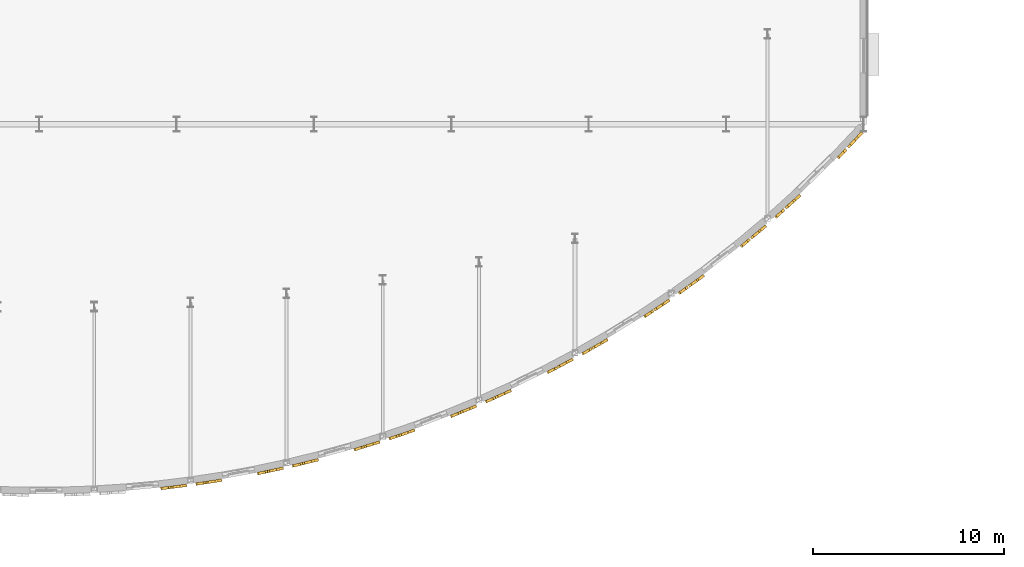
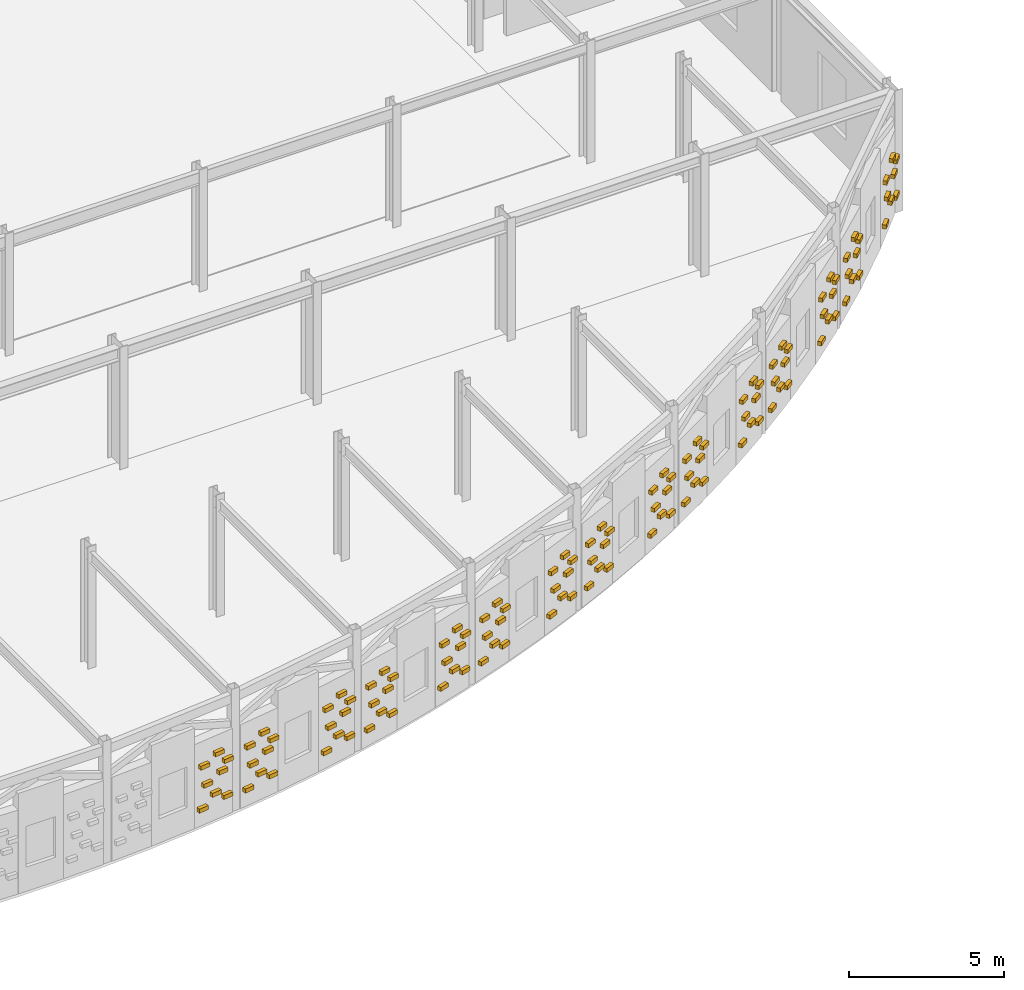
# One storey, part 83 of 83: 120 coverings.
"""IFC4 building model written with IfcOpenShell, lengths in metres."""

import ifcopenshell
import ifcopenshell.guid

model = None  # the IFC model being written
_history = None  # IfcOwnerHistory: only IFC2X3 demands one
_inside = {}  # id of a spatial element -> (the spatial element, [elements in it])
_under = {}  # id of a project, library or spatial element -> (it, [spatial elements below it])
_declared = {}  # id of a project -> (the project, [libraries it declares])
_typed = {}  # id of a type object -> (the type object, [elements of that type])
_made_of = {}  # id of a material, layer set ... -> (it, [elements and type objects made of it])


def new_model(schema):
    """Start an empty IFC model of exactly this schema.

    Asked for "IFC4X3", IfcOpenShell would pick the latest addendum, in which some entities
    have other attributes; the version numbers below select the first issue.
    IFC2X3 requires an IfcOwnerHistory on every rooted entity: one is made here for all.
    """
    global model, _history
    if schema == "IFC4X3":
        model = ifcopenshell.file(schema_version=(4, 3, 0, 0))
    else:
        model = ifcopenshell.file(schema=schema)
    _inside.clear()
    _under.clear()
    _declared.clear()
    _typed.clear()
    _made_of.clear()
    _history = None
    if model.schema == "IFC2X3":
        org = make("IfcOrganization", Name="unknown")
        user = make(
            "IfcPersonAndOrganization",
            ThePerson=make("IfcPerson", FamilyName="unknown"),
            TheOrganization=org,
        )
        app = make(
            "IfcApplication",
            ApplicationDeveloper=org,
            Version="unknown",
            ApplicationFullName="unknown",
            ApplicationIdentifier="unknown",
        )
        _history = make(
            "IfcOwnerHistory",
            OwningUser=user,
            OwningApplication=app,
            ChangeAction="ADDED",
            CreationDate=0,
        )
    return model


def make(cls, **values):
    """One entity of the class cls with the attributes given. An attribute that is None is left unset."""
    return model.create_entity(
        cls, **{name: value for name, value in values.items() if value is not None}
    )


def rooted(cls, **values):
    """An entity with a GlobalId (a new one), such as an element, a storey or a relation."""
    return make(cls, GlobalId=ifcopenshell.guid.new(), OwnerHistory=_history, **values)


def si_unit(unit_type, name, prefix=None):
    """IfcSIUnit, for example si_unit("LENGTHUNIT", "METRE", prefix="MILLI")."""
    return make("IfcSIUnit", UnitType=unit_type, Prefix=prefix, Name=name)


def assignment(units):
    """IfcUnitAssignment: the units of a project."""
    return None if units is None else make("IfcUnitAssignment", Units=units)


def point(xyz):
    """IfcCartesianPoint."""
    return None if xyz is None else make("IfcCartesianPoint", Coordinates=xyz)


def direction(xyz):
    """IfcDirection."""
    return None if xyz is None else make("IfcDirection", DirectionRatios=xyz)


def frame(location, z_axis=None, x_axis=None):
    """IfcAxis2Placement3D, a coordinate frame: its origin and axes. An axis left out is left unset."""
    return make(
        "IfcAxis2Placement3D",
        Location=point(location),
        Axis=direction(z_axis),
        RefDirection=direction(x_axis),
    )


def frame_2d(location, x_axis=None):
    """IfcAxis2Placement2D, a coordinate frame in the plane: its origin and x axis."""
    return make(
        "IfcAxis2Placement2D", Location=point(location), RefDirection=direction(x_axis)
    )


def origin():
    """The frame at (0, 0, 0) with its axes left unset."""
    return frame((0.0, 0.0, 0.0))


def origin_2d():
    """The frame at (0, 0) in the plane with its x axis left unset."""
    return frame_2d((0.0, 0.0))


def place(relative_to, where):
    """IfcLocalPlacement: puts the frame where relative to a parent placement (None: the world)."""
    return make(
        "IfcLocalPlacement", PlacementRelTo=relative_to, RelativePlacement=where
    )


def context(
    kind, dimensions, precision=None, world=None, true_north=None, identifier=None
):
    """IfcGeometricRepresentationContext, for example the 3D "Model" context."""
    return make(
        "IfcGeometricRepresentationContext",
        ContextIdentifier=identifier,
        ContextType=kind,
        CoordinateSpaceDimension=dimensions,
        Precision=precision,
        WorldCoordinateSystem=world,
        TrueNorth=true_north,
    )


def subcontext(parent, identifier, kind, view, scale=None):
    """IfcGeometricRepresentationSubContext, for example "Body" below "Model"."""
    return make(
        "IfcGeometricRepresentationSubContext",
        ContextIdentifier=identifier,
        ContextType=kind,
        ParentContext=parent,
        TargetScale=scale,
        TargetView=view,
    )


def project(units=None, contexts=None):
    """IfcProject with its units and contexts."""
    return rooted(
        "IfcProject",
        Name="project",
        RepresentationContexts=contexts,
        UnitsInContext=assignment(units),
    )


def spatial(cls, under=None, at=None, **own):
    """A site, building, storey or space (cls), placed at a placement, below another one or the project."""
    s = rooted(cls, ObjectPlacement=at, **own)
    if under is not None:
        _under.setdefault(under.id(), (under, []))[1].append(s)
    return s


def profile(cls, at=None, kind="AREA", **sizes):
    """A parametric profile (cls). Its sizes go by their IFC names, for example OverallWidth=200.0."""
    return make(cls, ProfileType=kind, Position=at, **sizes)


def rectangle(**sizes):
    """IfcRectangleProfileDef."""
    return profile("IfcRectangleProfileDef", **sizes)


def extrude(swept, where, along, depth):
    """IfcExtrudedAreaSolid: the profile swept, set in the frame where, extruded along a direction by depth."""
    return make(
        "IfcExtrudedAreaSolid",
        SweptArea=swept,
        Position=where,
        ExtrudedDirection=direction(along),
        Depth=depth,
    )


def shape(context_of_items, identifier, shape_type, items):
    """IfcShapeRepresentation: the items that make up one representation, for example the "Body"."""
    return make(
        "IfcShapeRepresentation",
        ContextOfItems=context_of_items,
        RepresentationIdentifier=identifier,
        RepresentationType=shape_type,
        Items=items,
    )


def material(Name=None, Category=None):
    """IfcMaterial."""
    return make("IfcMaterial", Name=Name, Category=Category)


def layer(
    of_material, thickness, ventilated=None, Name=None, Category=None, Priority=None
):
    """IfcMaterialLayer: one layer of a wall or slab, of a material (None: an air gap)."""
    return make(
        "IfcMaterialLayer",
        Material=of_material,
        LayerThickness=thickness,
        IsVentilated=ventilated,
        Name=Name,
        Category=Category,
        Priority=Priority,
    )


def layer_set(layers, Name=None):
    """IfcMaterialLayerSet."""
    return make("IfcMaterialLayerSet", MaterialLayers=layers, LayerSetName=Name)


def made_of(thing, what):
    """Note that an element or type object is made of a material, layer set ...; save() writes the relation."""
    if what is not None:
        _made_of.setdefault(what.id(), (what, []))[1].append(thing)
    return thing


def type_object(cls, material=None, **own):
    """A type object (cls), such as IfcWallType, which elements share."""
    return made_of(rooted(cls, **own), material)


def element(
    cls,
    number,
    at=None,
    inside=None,
    cuts=None,
    type_object=None,
    material=None,
    context=None,
    identifier="Body",
    shape_type=None,
    held_by="IfcProductDefinitionShape",
    body=None,
    shapes=None,
    **own,
):
    """One element of the class cls, such as IfcWall. Its Tag is "e" and its number.

    at: its placement. inside: the storey or other place that contains it. cuts: it is an
    opening in that element (IfcRelVoidsElement). A single representation is given by context,
    identifier, shape_type and body (its items); several are given by shapes. held_by: the class
    of the entity that holds the representations. save() writes the other relations.
    """
    e = rooted(cls, Tag="e%d" % number, ObjectPlacement=at, **own)
    if body is not None:
        shapes = [shape(context, identifier, shape_type, body)]
    if shapes is not None:
        e.Representation = make(held_by, Representations=shapes)
    if inside is not None:
        _inside.setdefault(inside.id(), (inside, []))[1].append(e)
    if cuts is not None:
        rooted(
            "IfcRelVoidsElement", RelatingBuildingElement=cuts, RelatedOpeningElement=e
        )
    if type_object is not None:
        _typed.setdefault(type_object.id(), (type_object, []))[1].append(e)
    return made_of(e, material)


def aggregate(whole, parts):
    """IfcRelAggregates: a whole, such as a stair, and the parts it consists of."""
    return rooted("IfcRelAggregates", RelatingObject=whole, RelatedObjects=parts)


def save(model, path):
    """Write the relations noted so far, then the file.

    IfcRelAggregates (storeys below a building ...), IfcRelContainedInSpatialStructure (elements
    in a storey), IfcRelDefinesByType, IfcRelAssociatesMaterial and IfcRelDeclares: one each for
    every whole, place, type object, material and project.
    """
    for whole, parts in _under.values():
        aggregate(whole, parts)
    for where, things in _inside.values():
        rooted(
            "IfcRelContainedInSpatialStructure",
            RelatedElements=things,
            RelatingStructure=where,
        )
    for kind, things in _typed.values():
        rooted("IfcRelDefinesByType", RelatedObjects=things, RelatingType=kind)
    for what, things in _made_of.values():
        rooted("IfcRelAssociatesMaterial", RelatedObjects=things, RelatingMaterial=what)
    for by, libraries in _declared.values():
        rooted("IfcRelDeclares", RelatingContext=by, RelatedDefinitions=libraries)
    model.write(path)


model = new_model("IFC4")

# Units and contexts
model_context = context("Model", 3, precision=1e-05, world=origin(), true_north=direction((0.0, 1.0)))
body_context = subcontext(model_context, "Body", "Model", "MODEL_VIEW")
ifc_project = project(units=[si_unit("LENGTHUNIT", "METRE"), si_unit("AREAUNIT", "SQUARE_METRE"), si_unit("VOLUMEUNIT", "CUBIC_METRE"), si_unit("PLANEANGLEUNIT", "RADIAN"), si_unit("MASSUNIT", "GRAM", prefix="KILO")], contexts=[model_context])

# Site, building, storey
site_placement = place(None, origin())
site = spatial("IfcSite", under=ifc_project, at=site_placement, CompositionType="ELEMENT")
building_placement = place(site_placement, origin())
building = spatial("IfcBuilding", under=site, at=building_placement, Name="Solvadek Multi-Sports Hall", CompositionType="ELEMENT")
storey_placement = place(building_placement, origin())
storey = spatial("IfcBuildingStorey", under=building, at=storey_placement, Name="L00", CompositionType="ELEMENT", Elevation=0.0)

# Coverings
ifc_material = material(Name="Kiln-fired projecting relief brick", Category="masonry")
ifc_layer = layer(ifc_material, 0.139892578125, Name="Kiln-fired projecting relief brick")
ifc_layer_set = layer_set([ifc_layer], Name="Kiln-fired projecting relief brick")
covering_type = type_object("IfcCoveringType", Name="ENV-COV-BRKREL", PredefinedType="CLADDING", material=ifc_layer_set)
for number, where, z_axis, x_axis, name in (
    (1, (100.144287109375, -13.072021484375, 0.64013671875), (0.0, 0.0, 1.0), (0.992573145786, 0.121649292087, 0.0), "Projecting Relief Brick E-9.1"),
    (2, (100.663818359375, -13.00830078125, 1.0400390625), (0.0, 0.0, 1.0), (0.992573145786, 0.121649292087, 0.0), "Projecting Relief Brick E-9.2"),
    (3, (101.121826171875, -12.9521484375, 0.76025390625), (0.0, 0.0, 1.0), (0.992573145786, 0.121649292087, 0.0), "Projecting Relief Brick E-9.3"),
    (4, (100.32763671875, -13.049560546875, 1.5400390625), (0.0, 0.0, 1.0), (0.992573145786, 0.121649292087, 0.0), "Projecting Relief Brick E-9.4"),
    (5, (100.938720703125, -12.974609375, 1.7998046875), (0.0, 0.0, 1.0), (0.992573145786, 0.121649292087, 0.0), "Projecting Relief Brick E-9.5"),
    (6, (100.20556640625, -13.064453125, 2.2998046875), (0.0, 0.0, 1.0), (0.992573145786, 0.121649292087, 0.0), "Projecting Relief Brick E-9.6"),
    (7, (100.785888671875, -12.993408203125, 2.580078125), (0.0, 0.0, 1.0), (0.992573145786, 0.121649292087, 0.0), "Projecting Relief Brick E-9.7"),
    (8, (101.15234375, -12.948486328125, 2.16015625), (0.0, 0.0, 1.0), (0.992573145786, 0.121649292087, 0.0), "Projecting Relief Brick E-9.8"),
    (9, (101.98388671875, -12.833740234375, 0.64013671875), (0.0, 0.0, 1.0), (0.988605895809, 0.15052701675, 0.0), "Projecting Relief Brick E-10.1"),
    (10, (102.50341796875, -12.754638671875, 1.0400390625), (0.0, 0.0, 1.0), (0.988605895809, 0.15052701675, 0.0), "Projecting Relief Brick E-10.2"),
    (11, (102.961669921875, -12.684814453125, 0.76025390625), (0.0, 0.0, 1.0), (0.988605895809, 0.15052701675, 0.0), "Projecting Relief Brick E-10.3"),
    (12, (102.1669921875, -12.805908203125, 1.5400390625), (0.0, 0.0, 1.0), (0.988605895809, 0.15052701675, 0.0), "Projecting Relief Brick E-10.4"),
    (13, (102.7783203125, -12.712890625, 1.7998046875), (0.0, 0.0, 1.0), (0.988605895809, 0.15052701675, 0.0), "Projecting Relief Brick E-10.5"),
    (14, (102.044921875, -12.824462890625, 2.2998046875), (0.0, 0.0, 1.0), (0.988605895809, 0.15052701675, 0.0), "Projecting Relief Brick E-10.6"),
    (15, (102.62548828125, -12.736083984375, 2.580078125), (0.0, 0.0, 1.0), (0.988605895809, 0.15052701675, 0.0), "Projecting Relief Brick E-10.7"),
    (16, (102.9921875, -12.680419921875, 2.16015625), (0.0, 0.0, 1.0), (0.988605895809, 0.15052701675, 0.0), "Projecting Relief Brick E-10.8"),
    (17, (105.205810546875, -12.275390625, 0.64013671875), (0.0, 0.0, 1.0), (0.978075914323, 0.208248663432, 0.0), "Projecting Relief Brick E-12.1"),
    (18, (105.725830078125, -12.164794921875, 1.0400390625), (0.0, 0.0, 1.0), (0.978075914323, 0.208248663432, 0.0), "Projecting Relief Brick E-12.2"),
    (19, (106.184814453125, -12.067138671875, 0.76025390625), (0.0, 0.0, 1.0), (0.978075914323, 0.208248663432, 0.0), "Projecting Relief Brick E-12.3"),
    (20, (105.389404296875, -12.236328125, 1.5400390625), (0.0, 0.0, 1.0), (0.978075914323, 0.208248663432, 0.0), "Projecting Relief Brick E-12.4"),
    (21, (106.001220703125, -12.106201171875, 1.7998046875), (0.0, 0.0, 1.0), (0.978075914323, 0.208248663432, 0.0), "Projecting Relief Brick E-12.5"),
    (22, (105.26708984375, -12.262451171875, 2.2998046875), (0.0, 0.0, 1.0), (0.978075914323, 0.208248663432, 0.0), "Projecting Relief Brick E-12.6"),
    (23, (105.84814453125, -12.138671875, 2.580078125), (0.0, 0.0, 1.0), (0.978075914323, 0.208248663432, 0.0), "Projecting Relief Brick E-12.7"),
    (24, (106.21533203125, -12.060546875, 2.16015625), (0.0, 0.0, 1.0), (0.978075914323, 0.208248663432, 0.0), "Projecting Relief Brick E-12.8"),
    (25, (107.042724609375, -11.87109375, 0.64013671875), (0.0, 0.0, 1.0), (0.971474540489, 0.237143874435, 0.0), "Projecting Relief Brick E-13.1"),
    (26, (107.56298828125, -11.743896484375, 1.0400390625), (0.0, 0.0, 1.0), (0.971474540489, 0.237143874435, 0.0), "Projecting Relief Brick E-13.2"),
    (27, (108.022216796875, -11.6318359375, 0.76025390625), (0.0, 0.0, 1.0), (0.971474540489, 0.237143874435, 0.0), "Projecting Relief Brick E-13.3"),
    (28, (107.226318359375, -11.826171875, 1.5400390625), (0.0, 0.0, 1.0), (0.971474540489, 0.237143874435, 0.0), "Projecting Relief Brick E-13.4"),
    (29, (107.83837890625, -11.6767578125, 1.7998046875), (0.0, 0.0, 1.0), (0.971474540489, 0.237143874435, 0.0), "Projecting Relief Brick E-13.5"),
    (30, (107.10400390625, -11.856201171875, 2.2998046875), (0.0, 0.0, 1.0), (0.971474540489, 0.237143874435, 0.0), "Projecting Relief Brick E-13.6"),
    (31, (107.685546875, -11.714111328125, 2.580078125), (0.0, 0.0, 1.0), (0.971474540489, 0.237143874435, 0.0), "Projecting Relief Brick E-13.7"),
    (32, (108.052734375, -11.62451171875, 2.16015625), (0.0, 0.0, 1.0), (0.971474540489, 0.237143874435, 0.0), "Projecting Relief Brick E-13.8"),
    (33, (110.267578125, -11.011962890625, 0.64013671875), (0.0, 0.0, 1.0), (0.955526555938, 0.294905070993, 0.0), "Projecting Relief Brick E-15.1"),
    (34, (110.788818359375, -10.851318359375, 1.0400390625), (0.0, 0.0, 1.0), (0.955526555938, 0.294905070993, 0.0), "Projecting Relief Brick E-15.2"),
    (35, (111.24853515625, -10.709228515625, 0.76025390625), (0.0, 0.0, 1.0), (0.955526555938, 0.294905070993, 0.0), "Projecting Relief Brick E-15.3"),
    (36, (110.451416015625, -10.955322265625, 1.5400390625), (0.0, 0.0, 1.0), (0.955526555938, 0.294905070993, 0.0), "Projecting Relief Brick E-15.4"),
    (37, (111.064697265625, -10.76611328125, 1.7998046875), (0.0, 0.0, 1.0), (0.955526555938, 0.294905070993, 0.0), "Projecting Relief Brick E-15.5"),
    (38, (110.328857421875, -10.9931640625, 2.2998046875), (0.0, 0.0, 1.0), (0.955526555938, 0.294905070993, 0.0), "Projecting Relief Brick E-15.6"),
    (39, (110.911376953125, -10.813232421875, 2.580078125), (0.0, 0.0, 1.0), (0.955526555938, 0.294905070993, 0.0), "Projecting Relief Brick E-15.7"),
    (40, (111.279296875, -10.69970703125, 2.16015625), (0.0, 0.0, 1.0), (0.955526555938, 0.294905070993, 0.0), "Projecting Relief Brick E-15.8"),
    (41, (112.1005859375, -10.43212890625, 0.64013671875), (0.0, 0.0, 1.0), (0.946153090794, 0.323719521778, 0.0), "Projecting Relief Brick E-16.1"),
    (42, (112.622314453125, -10.253662109375, 1.0400390625), (0.0, 0.0, 1.0), (0.946153090794, 0.323719521778, 0.0), "Projecting Relief Brick E-16.2"),
    (43, (113.08251953125, -10.09619140625, 0.76025390625), (0.0, 0.0, 1.0), (0.946153090794, 0.323719521778, 0.0), "Projecting Relief Brick E-16.3"),
    (44, (112.28466796875, -10.369140625, 1.5400390625), (0.0, 0.0, 1.0), (0.946153090794, 0.323719521778, 0.0), "Projecting Relief Brick E-16.4"),
    (45, (112.8984375, -10.1591796875, 1.7998046875), (0.0, 0.0, 1.0), (0.946153090794, 0.323719521778, 0.0), "Projecting Relief Brick E-16.5"),
    (46, (112.161865234375, -10.4111328125, 2.2998046875), (0.0, 0.0, 1.0), (0.946153090794, 0.323719521778, 0.0), "Projecting Relief Brick E-16.6"),
    (47, (112.744873046875, -10.211669921875, 2.580078125), (0.0, 0.0, 1.0), (0.946153090794, 0.323719521778, 0.0), "Projecting Relief Brick E-16.7"),
    (48, (113.11328125, -10.085693359375, 2.16015625), (0.0, 0.0, 1.0), (0.946153090794, 0.323719521778, 0.0), "Projecting Relief Brick E-16.8"),
    (49, (115.32958984375, -9.2490234375, 0.64013671875), (0.0, 0.0, 1.0), (0.924380401082, 0.381471983369, 0.0), "Projecting Relief Brick E-18.1"),
    (50, (115.852294921875, -9.033203125, 1.0400390625), (0.0, 0.0, 1.0), (0.924380401082, 0.381471983369, 0.0), "Projecting Relief Brick E-18.2"),
    (51, (116.313720703125, -8.843017578125, 0.76025390625), (0.0, 0.0, 1.0), (0.924380401082, 0.381471983369, 0.0), "Projecting Relief Brick E-18.3"),
    (52, (115.513916015625, -9.1728515625, 1.5400390625), (0.0, 0.0, 1.0), (0.924380401082, 0.381471983369, 0.0), "Projecting Relief Brick E-18.4"),
    (53, (116.12890625, -8.9189453125, 1.7998046875), (0.0, 0.0, 1.0), (0.924380401082, 0.381471983369, 0.0), "Projecting Relief Brick E-18.5"),
    (54, (115.39111328125, -9.2236328125, 2.2998046875), (0.0, 0.0, 1.0), (0.924380401082, 0.381471983369, 0.0), "Projecting Relief Brick E-18.6"),
    (55, (115.975341796875, -8.982421875, 2.580078125), (0.0, 0.0, 1.0), (0.924380401082, 0.381471983369, 0.0), "Projecting Relief Brick E-18.7"),
    (56, (116.34423828125, -8.830078125, 2.16015625), (0.0, 0.0, 1.0), (0.924380401082, 0.381471983369, 0.0), "Projecting Relief Brick E-18.8"),
    (57, (117.1572265625, -8.47900390625, 0.64013671875), (0.0, 0.0, 1.0), (0.911921505175, 0.41036467733, 0.0), "Projecting Relief Brick E-19.1"),
    (58, (117.6806640625, -8.243408203125, 1.0400390625), (0.0, 0.0, 1.0), (0.911921505175, 0.41036467733, 0.0), "Projecting Relief Brick E-19.2"),
    (59, (118.142578125, -8.03564453125, 0.76025390625), (0.0, 0.0, 1.0), (0.911921505175, 0.41036467733, 0.0), "Projecting Relief Brick E-19.3"),
    (60, (117.342041015625, -8.39599609375, 1.5400390625), (0.0, 0.0, 1.0), (0.911921505175, 0.41036467733, 0.0), "Projecting Relief Brick E-19.4"),
    (61, (117.957763671875, -8.11865234375, 1.7998046875), (0.0, 0.0, 1.0), (0.911921505175, 0.41036467733, 0.0), "Projecting Relief Brick E-19.5"),
    (62, (117.218994140625, -8.451416015625, 2.2998046875), (0.0, 0.0, 1.0), (0.911921505175, 0.41036467733, 0.0), "Projecting Relief Brick E-19.6"),
    (63, (117.803955078125, -8.18798828125, 2.580078125), (0.0, 0.0, 1.0), (0.911921505175, 0.41036467733, 0.0), "Projecting Relief Brick E-19.7"),
    (64, (118.17333984375, -8.021728515625, 2.16015625), (0.0, 0.0, 1.0), (0.911921505175, 0.41036467733, 0.0), "Projecting Relief Brick E-19.8"),
    (65, (120.3916015625, -6.935302734375, 0.64013671875), (0.0, 0.0, 1.0), (0.883681698244, 0.468088299565, 0.0), "Projecting Relief Brick E-21.1"),
    (66, (120.91650390625, -6.657470703125, 1.0400390625), (0.0, 0.0, 1.0), (0.883681698244, 0.468088299565, 0.0), "Projecting Relief Brick E-21.2"),
    (67, (121.3798828125, -6.412109375, 0.76025390625), (0.0, 0.0, 1.0), (0.883681698244, 0.468088299565, 0.0), "Projecting Relief Brick E-21.3"),
    (68, (120.576904296875, -6.83740234375, 1.5400390625), (0.0, 0.0, 1.0), (0.883681698244, 0.468088299565, 0.0), "Projecting Relief Brick E-21.4"),
    (69, (121.194580078125, -6.51025390625, 1.7998046875), (0.0, 0.0, 1.0), (0.883681698244, 0.468088299565, 0.0), "Projecting Relief Brick E-21.5"),
    (70, (120.453369140625, -6.902587890625, 2.2998046875), (0.0, 0.0, 1.0), (0.883681698244, 0.468088299565, 0.0), "Projecting Relief Brick E-21.6"),
    (71, (121.0400390625, -6.591796875, 2.580078125), (0.0, 0.0, 1.0), (0.883681698244, 0.468088299565, 0.0), "Projecting Relief Brick E-21.7"),
    (72, (121.41064453125, -6.395751953125, 2.16015625), (0.0, 0.0, 1.0), (0.883681698244, 0.468088299565, 0.0), "Projecting Relief Brick E-21.8"),
    (73, (122.212646484375, -5.952880859375, 0.64013671875), (0.0, 0.0, 1.0), (0.867753217729, 0.496995325049, 0.0), "Projecting Relief Brick E-22.1"),
    (74, (122.738525390625, -5.65185546875, 1.0400390625), (0.0, 0.0, 1.0), (0.867753217729, 0.496995325049, 0.0), "Projecting Relief Brick E-22.2"),
    (75, (123.202392578125, -5.385986328125, 0.76025390625), (0.0, 0.0, 1.0), (0.867753217729, 0.496995325049, 0.0), "Projecting Relief Brick E-22.3"),
    (76, (122.398193359375, -5.8466796875, 1.5400390625), (0.0, 0.0, 1.0), (0.867753217729, 0.496995325049, 0.0), "Projecting Relief Brick E-22.4"),
    (77, (123.016845703125, -5.492431640625, 1.7998046875), (0.0, 0.0, 1.0), (0.867753217729, 0.496995325049, 0.0), "Projecting Relief Brick E-22.5"),
    (78, (122.274658203125, -5.91748046875, 2.2998046875), (0.0, 0.0, 1.0), (0.867753217729, 0.496995325049, 0.0), "Projecting Relief Brick E-22.6"),
    (79, (122.8623046875, -5.580810546875, 2.580078125), (0.0, 0.0, 1.0), (0.867753217729, 0.496995325049, 0.0), "Projecting Relief Brick E-22.7"),
    (80, (123.2333984375, -5.368408203125, 2.16015625), (0.0, 0.0, 1.0), (0.867753217729, 0.496995325049, 0.0), "Projecting Relief Brick E-22.8"),
    (81, (125.4541015625, -3.9931640625, 0.64013671875), (0.0, 0.0, 1.0), (0.832027435734, 0.5547344826, 0.0), "Projecting Relief Brick E-24.1"),
    (82, (125.981689453125, -3.641357421875, 1.0400390625), (0.0, 0.0, 1.0), (0.832027435734, 0.5547344826, 0.0), "Projecting Relief Brick E-24.2"),
    (83, (126.447265625, -3.3310546875, 0.76025390625), (0.0, 0.0, 1.0), (0.832027435734, 0.5547344826, 0.0), "Projecting Relief Brick E-24.3"),
    (84, (125.640380859375, -3.868896484375, 1.5400390625), (0.0, 0.0, 1.0), (0.832027435734, 0.5547344826, 0.0), "Projecting Relief Brick E-24.4"),
    (85, (126.260986328125, -3.455078125, 1.7998046875), (0.0, 0.0, 1.0), (0.832027435734, 0.5547344826, 0.0), "Projecting Relief Brick E-24.5"),
    (86, (125.51611328125, -3.951904296875, 2.2998046875), (0.0, 0.0, 1.0), (0.832027435734, 0.5547344826, 0.0), "Projecting Relief Brick E-24.6"),
    (87, (126.10595703125, -3.55859375, 2.580078125), (0.0, 0.0, 1.0), (0.832027435734, 0.5547344826, 0.0), "Projecting Relief Brick E-24.7"),
    (88, (126.478515625, -3.310302734375, 2.16015625), (0.0, 0.0, 1.0), (0.832027435734, 0.5547344826, 0.0), "Projecting Relief Brick E-24.8"),
    (89, (127.266845703125, -2.763427734375, 0.64013671875), (0.0, 0.0, 1.0), (0.812061184697, 0.583572302554, 0.0), "Projecting Relief Brick E-25.1"),
    (90, (127.79541015625, -2.383544921875, 1.0400390625), (0.0, 0.0, 1.0), (0.812061184697, 0.583572302554, 0.0), "Projecting Relief Brick E-25.2"),
    (91, (128.261962890625, -2.04833984375, 0.76025390625), (0.0, 0.0, 1.0), (0.812061184697, 0.583572302554, 0.0), "Projecting Relief Brick E-25.3"),
    (92, (127.453369140625, -2.62939453125, 1.5400390625), (0.0, 0.0, 1.0), (0.812061184697, 0.583572302554, 0.0), "Projecting Relief Brick E-25.4"),
    (93, (128.0751953125, -2.182373046875, 1.7998046875), (0.0, 0.0, 1.0), (0.812061184697, 0.583572302554, 0.0), "Projecting Relief Brick E-25.5"),
    (94, (127.3291015625, -2.71875, 2.2998046875), (0.0, 0.0, 1.0), (0.812061184697, 0.583572302554, 0.0), "Projecting Relief Brick E-25.6"),
    (95, (127.919921875, -2.294189453125, 2.580078125), (0.0, 0.0, 1.0), (0.812061184697, 0.583572302554, 0.0), "Projecting Relief Brick E-25.7"),
    (96, (128.29296875, -2.02587890625, 2.16015625), (0.0, 0.0, 1.0), (0.812061184697, 0.583572302554, 0.0), "Projecting Relief Brick E-25.8"),
    (97, (130.51708984375, -0.299560546875, 0.64013671875), (0.0, 0.0, 1.0), (0.767254598934, 0.641342638855, 0.0), "Projecting Relief Brick E-27.1"),
    (98, (131.048095703125, 0.144287109375, 1.0400390625), (0.0, 0.0, 1.0), (0.767254598934, 0.641342638855, 0.0), "Projecting Relief Brick E-27.2"),
    (99, (131.5166015625, 0.535888671875, 0.76025390625), (0.0, 0.0, 1.0), (0.767254598934, 0.641342638855, 0.0), "Projecting Relief Brick E-27.3"),
    (100, (130.704345703125, -0.142822265625, 1.5400390625), (0.0, 0.0, 1.0), (0.767254598934, 0.641342638855, 0.0), "Projecting Relief Brick E-27.4"),
    (101, (131.3291015625, 0.37939453125, 1.7998046875), (0.0, 0.0, 1.0), (0.767254598934, 0.641342638855, 0.0), "Projecting Relief Brick E-27.5"),
    (102, (130.57958984375, -0.247314453125, 2.2998046875), (0.0, 0.0, 1.0), (0.767254598934, 0.641342638855, 0.0), "Projecting Relief Brick E-27.6"),
    (103, (131.173095703125, 0.248779296875, 2.580078125), (0.0, 0.0, 1.0), (0.767254598934, 0.641342638855, 0.0), "Projecting Relief Brick E-27.7"),
    (104, (131.5478515625, 0.56201171875, 2.16015625), (0.0, 0.0, 1.0), (0.767254598934, 0.641342638855, 0.0), "Projecting Relief Brick E-27.8"),
    (105, (132.319091796875, 1.233642578125, 0.64013671875), (0.0, 0.0, 1.0), (0.742150841647, 0.670232891048, 0.0), "Projecting Relief Brick E-28.1"),
    (106, (132.851318359375, 1.71435546875, 1.0400390625), (0.0, 0.0, 1.0), (0.742150841647, 0.670232891048, 0.0), "Projecting Relief Brick E-28.2"),
    (107, (133.321044921875, 2.138427734375, 0.76025390625), (0.0, 0.0, 1.0), (0.742150841647, 0.670232891048, 0.0), "Projecting Relief Brick E-28.3"),
    (108, (132.5068359375, 1.4033203125, 1.5400390625), (0.0, 0.0, 1.0), (0.742150841647, 0.670232891048, 0.0), "Projecting Relief Brick E-28.4"),
    (109, (133.13330078125, 1.968994140625, 1.7998046875), (0.0, 0.0, 1.0), (0.742150841647, 0.670232891048, 0.0), "Projecting Relief Brick E-28.5"),
    (110, (132.381591796875, 1.2900390625, 2.2998046875), (0.0, 0.0, 1.0), (0.742150841647, 0.670232891048, 0.0), "Projecting Relief Brick E-28.6"),
    (111, (132.9765625, 1.827392578125, 2.580078125), (0.0, 0.0, 1.0), (0.742150841647, 0.670232891048, 0.0), "Projecting Relief Brick E-28.7"),
    (112, (133.352294921875, 2.166748046875, 2.16015625), (0.0, 0.0, 1.0), (0.742150841647, 0.670232891048, 0.0), "Projecting Relief Brick E-28.8"),
    (113, (135.580322265625, 4.350341796875, 0.64013671875), (0.0, 0.0, 1.0), (0.685588703424, 0.727989100013, 0.0), "Projecting Relief Brick E-30.1"),
    (114, (136.115478515625, 4.918701171875, 1.0400390625), (0.0, 0.0, 1.0), (0.685588703424, 0.727989100013, 0.0), "Projecting Relief Brick E-30.2"),
    (115, (136.587890625, 5.42041015625, 0.76025390625), (0.0, 0.0, 1.0), (0.685588703424, 0.727989100013, 0.0), "Projecting Relief Brick E-30.3"),
    (116, (135.769287109375, 4.551025390625, 1.5400390625), (0.0, 0.0, 1.0), (0.685588703424, 0.727989100013, 0.0), "Projecting Relief Brick E-30.4"),
    (117, (136.39892578125, 5.2197265625, 1.7998046875), (0.0, 0.0, 1.0), (0.685588703424, 0.727989100013, 0.0), "Projecting Relief Brick E-30.5"),
    (118, (135.643310546875, 4.417236328125, 2.2998046875), (0.0, 0.0, 1.0), (0.685588703424, 0.727989100013, 0.0), "Projecting Relief Brick E-30.6"),
    (119, (136.24169921875, 5.052490234375, 2.580078125), (0.0, 0.0, 1.0), (0.685588703424, 0.727989100013, 0.0), "Projecting Relief Brick E-30.7"),
    (120, (136.619384765625, 5.453857421875, 2.16015625), (0.0, 0.0, 1.0), (0.685588703424, 0.727989100013, 0.0), "Projecting Relief Brick E-30.8"),
):
    element("IfcCovering", number, at=place(storey_placement, frame(where, z_axis=z_axis, x_axis=x_axis)), inside=storey, type_object=covering_type, Name=name, PredefinedType="CLADDING", context=body_context, shape_type="SweptSolid", body=[
        extrude(rectangle(XDim=0.360107421875, YDim=0.139892578125, at=origin_2d()), origin(), (0.0, 0.0, 1.0), 0.159912109375),
    ])

save(model, "model.ifc")
